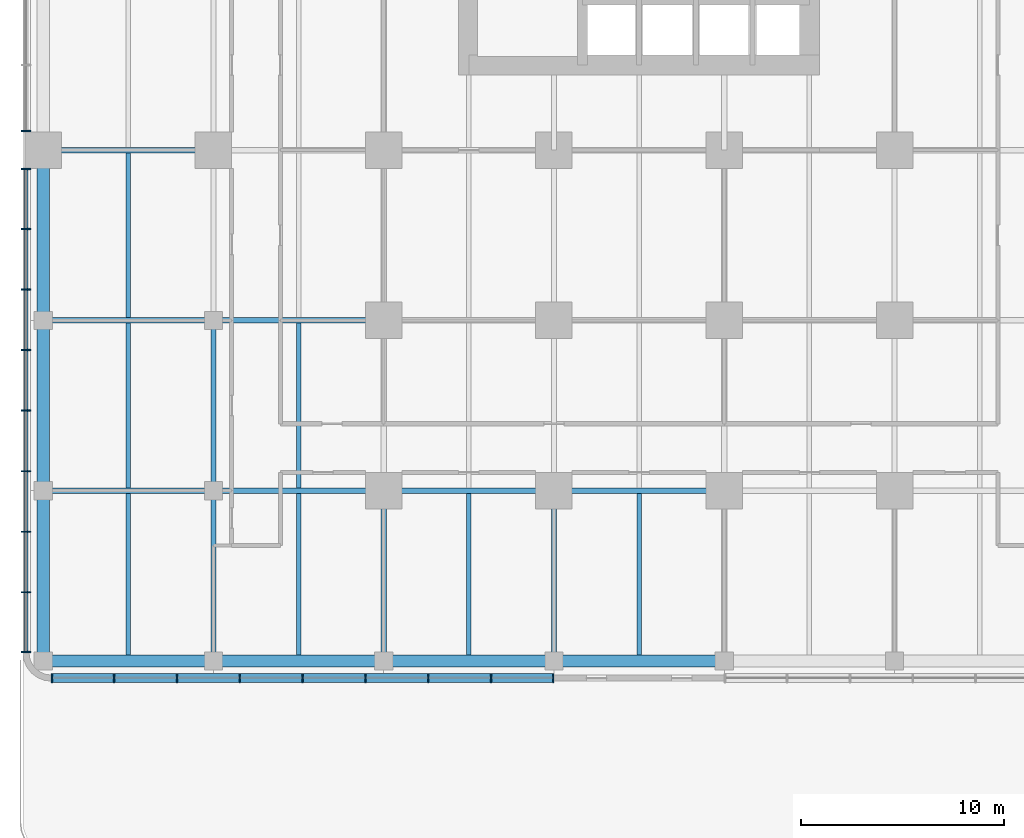
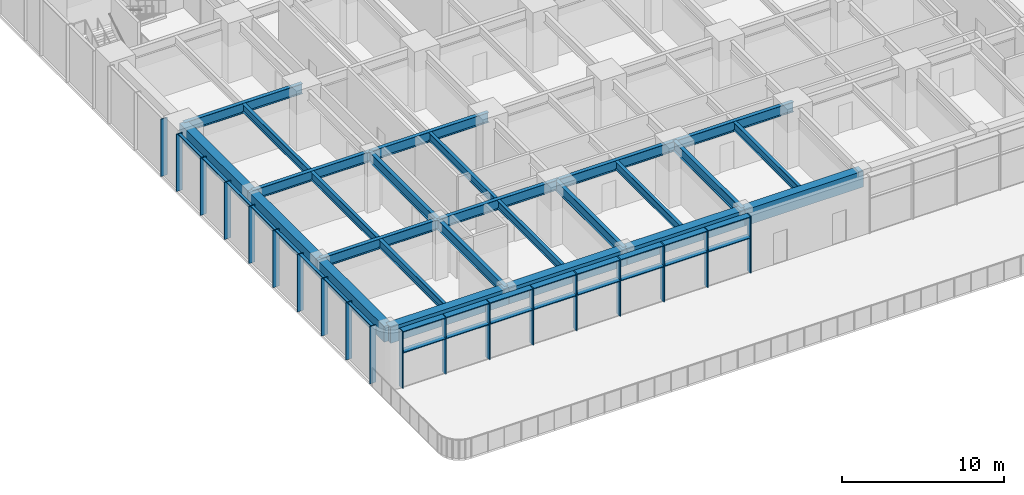
# One storey, part 2 of 20: 43 members, 25 beams, 2 elements without a shape of their own.
"""IFC4 building model written with IfcOpenShell, lengths in metres."""

from ifc_helpers import new_model, si_unit, direction, frame, origin, origin_2d, place, context, subcontext, project, spatial, rectangle, i_section, extrude, material, material_profile, profile_set, type_object, element, aggregate, save


model = new_model("IFC4")

# Units and contexts
model_context = context("Model", 3, precision=1e-05, world=origin(), true_north=direction((0.0, 1.0)))
body_context = subcontext(model_context, "Body", "Model", "MODEL_VIEW")
ifc_project = project(units=[si_unit("LENGTHUNIT", "METRE"), si_unit("AREAUNIT", "SQUARE_METRE"), si_unit("VOLUMEUNIT", "CUBIC_METRE"), si_unit("PLANEANGLEUNIT", "RADIAN"), si_unit("MASSUNIT", "GRAM", prefix="KILO")], contexts=[model_context])

# Site, building, storey
site_placement = place(None, origin())
site = spatial("IfcSite", under=ifc_project, at=site_placement, CompositionType="ELEMENT")
building_placement = place(site_placement, origin())
building = spatial("IfcBuilding", under=site, at=building_placement, Name="Torre Alcanfor", CompositionType="ELEMENT")
storey_placement = place(building_placement, frame((0.0, 0.0, 10.5)))
storey = spatial("IfcBuildingStorey", under=building, at=storey_placement, Name="L02", CompositionType="ELEMENT", Elevation=10.5)

# Curtain wall, members
ifc_material_1 = material(Name="Aluminium and glass", Category="aluminium")
curtain_wall_type_1 = type_object("IfcCurtainWallType", Name="CW-B unitised classroom glazing with vertical FIN", PredefinedType="NOTDEFINED", material=ifc_material_1)
curtain_wall_1_placement = place(storey_placement, origin())
curtain_wall_1 = element("IfcCurtainWall", 1, at=curtain_wall_1_placement, inside=storey, type_object=curtain_wall_type_1, Name="Curtain wall CW-B L02 3", PredefinedType="NOTDEFINED")
ifc_material_2 = material(Name="Bronze anodised aluminium", Category="aluminium")
ifc_material_profile_1 = material_profile(ifc_material_2, rectangle(XDim=0.449951171875, YDim=0.06494140625, at=origin_2d()), Name="CW-B mullion 65x450")
ifc_profile_set_1 = profile_set([ifc_material_profile_1], Name="Bronze anodised aluminium")
member_type_1 = type_object("IfcMemberType", Name="CW-B mullion with vertical FIN 65x450", PredefinedType="MULLION", material=ifc_profile_set_1)
member_1_placement = place(storey_placement, frame((-0.85009765625, 17.737548828125, 0.0), z_axis=(0.0, 0.0, 1.0), x_axis=(1.0, 0.0, 0.0)))
member_1 = element("IfcMember", 2, at=member_1_placement, type_object=member_type_1, Name="CW-B mullion 4.3", PredefinedType="MULLION", context=body_context, shape_type="SweptSolid", body=[
    extrude(rectangle(XDim=0.449951171875, YDim=0.06494140625, at=origin_2d()), origin(), (0.0, 0.0, 1.0), 4.300048828125),
])
member_2_placement = place(storey_placement, frame((-0.85009765625, 15.862548828125, 0.0), z_axis=(0.0, 0.0, 1.0), x_axis=(1.0, 0.0, 0.0)))
member_2 = element("IfcMember", 3, at=member_2_placement, type_object=member_type_1, Name="CW-B mullion 5.1", PredefinedType="MULLION", context=body_context, shape_type="SweptSolid", body=[
    extrude(rectangle(XDim=0.449951171875, YDim=0.06494140625, at=origin_2d()), origin(), (0.0, 0.0, 1.0), 4.300048828125),
])
member_3_placement = place(storey_placement, frame((-0.85009765625, 12.908203125, 0.0), z_axis=(0.0, 0.0, 1.0), x_axis=(1.0, 0.0, 0.0)))
member_3 = element("IfcMember", 4, at=member_3_placement, type_object=member_type_1, Name="CW-B mullion 5.2", PredefinedType="MULLION", context=body_context, shape_type="SweptSolid", body=[
    extrude(rectangle(XDim=0.449951171875, YDim=0.06494140625, at=origin_2d()), origin(), (0.0, 0.0, 1.0), 4.300048828125),
])
member_4_placement = place(storey_placement, frame((-0.85009765625, 9.921142578125, 0.0), z_axis=(0.0, 0.0, 1.0), x_axis=(1.0, 0.0, 0.0)))
member_4 = element("IfcMember", 5, at=member_4_placement, type_object=member_type_1, Name="CW-B mullion 5.3", PredefinedType="MULLION", context=body_context, shape_type="SweptSolid", body=[
    extrude(rectangle(XDim=0.449951171875, YDim=0.06494140625, at=origin_2d()), origin(), (0.0, 0.0, 1.0), 4.300048828125),
])
member_5_placement = place(storey_placement, frame((-0.85009765625, 6.934326171875, 0.0), z_axis=(0.0, 0.0, 1.0), x_axis=(1.0, 0.0, 0.0)))
member_5 = element("IfcMember", 6, at=member_5_placement, type_object=member_type_1, Name="CW-B mullion 5.4", PredefinedType="MULLION", context=body_context, shape_type="SweptSolid", body=[
    extrude(rectangle(XDim=0.449951171875, YDim=0.06494140625, at=origin_2d()), origin(), (0.0, 0.0, 1.0), 4.300048828125),
])
member_6_placement = place(storey_placement, frame((-0.85009765625, 3.947509765625, 0.0), z_axis=(0.0, 0.0, 1.0), x_axis=(1.0, 0.0, 0.0)))
member_6 = element("IfcMember", 7, at=member_6_placement, type_object=member_type_1, Name="CW-B mullion 5.5", PredefinedType="MULLION", context=body_context, shape_type="SweptSolid", body=[
    extrude(rectangle(XDim=0.449951171875, YDim=0.06494140625, at=origin_2d()), origin(), (0.0, 0.0, 1.0), 4.300048828125),
])
member_7_placement = place(storey_placement, frame((-0.85009765625, 0.960693359375, 0.0), z_axis=(0.0, 0.0, 1.0), x_axis=(1.0, 0.0, 0.0)))
member_7 = element("IfcMember", 8, at=member_7_placement, type_object=member_type_1, Name="CW-B mullion 5.6", PredefinedType="MULLION", context=body_context, shape_type="SweptSolid", body=[
    extrude(rectangle(XDim=0.449951171875, YDim=0.06494140625, at=origin_2d()), origin(), (0.0, 0.0, 1.0), 4.300048828125),
])
member_8_placement = place(storey_placement, frame((-0.85009765625, -2.0263671875, 0.0), z_axis=(0.0, 0.0, 1.0), x_axis=(1.0, 0.0, 0.0)))
member_8 = element("IfcMember", 9, at=member_8_placement, type_object=member_type_1, Name="CW-B mullion 5.7", PredefinedType="MULLION", context=body_context, shape_type="SweptSolid", body=[
    extrude(rectangle(XDim=0.449951171875, YDim=0.06494140625, at=origin_2d()), origin(), (0.0, 0.0, 1.0), 4.300048828125),
])
member_9_placement = place(storey_placement, frame((-0.85009765625, -5.01318359375, 0.0), z_axis=(0.0, 0.0, 1.0), x_axis=(1.0, 0.0, 0.0)))
member_9 = element("IfcMember", 10, at=member_9_placement, type_object=member_type_1, Name="CW-B mullion 5.8", PredefinedType="MULLION", context=body_context, shape_type="SweptSolid", body=[
    extrude(rectangle(XDim=0.449951171875, YDim=0.06494140625, at=origin_2d()), origin(), (0.0, 0.0, 1.0), 4.300048828125),
])
member_10_placement = place(storey_placement, frame((-0.85009765625, -7.967529296875, 0.0), z_axis=(0.0, 0.0, 1.0), x_axis=(1.0, 0.0, 0.0)))
member_10 = element("IfcMember", 11, at=member_10_placement, type_object=member_type_1, Name="CW-B mullion 5.9", PredefinedType="MULLION", context=body_context, shape_type="SweptSolid", body=[
    extrude(rectangle(XDim=0.449951171875, YDim=0.06494140625, at=origin_2d()), origin(), (0.0, 0.0, 1.0), 4.300048828125),
])
ifc_material_3 = material(Name="Extruded aluminium", Category="aluminium")
ifc_material_profile_2 = material_profile(ifc_material_3, rectangle(XDim=0.199951171875, YDim=0.06494140625, at=origin_2d()), Name="CW-B transom 200x65")
ifc_profile_set_2 = profile_set([ifc_material_profile_2], Name="Extruded aluminium")
member_type_2 = type_object("IfcMemberType", Name="CW-B transom 65x200", PredefinedType="USERDEFINED", material=ifc_profile_set_2)
member_11_placement = place(storey_placement, frame((-0.85009765625, 15.830078125, 4.267578125), z_axis=(0.0, -1.0, 0.0), x_axis=(1.0, 0.0, 0.0)))
member_11 = element("IfcMember", 12, at=member_11_placement, type_object=member_type_2, Name="CW-B transom 5.1.2", ObjectType="TRANSOM", PredefinedType="USERDEFINED", context=body_context, shape_type="SweptSolid", body=[
    extrude(rectangle(XDim=0.199951171875, YDim=0.06494140625, at=origin_2d()), origin(), (0.0, 0.0, 1.0), 2.889404296875),
])
member_12_placement = place(storey_placement, frame((-0.85009765625, 12.875732421875, 4.267578125), z_axis=(0.0, -1.0, 0.0), x_axis=(1.0, 0.0, 0.0)))
member_12 = element("IfcMember", 13, at=member_12_placement, type_object=member_type_2, Name="CW-B transom 5.2.2", ObjectType="TRANSOM", PredefinedType="USERDEFINED", context=body_context, shape_type="SweptSolid", body=[
    extrude(rectangle(XDim=0.199951171875, YDim=0.06494140625, at=origin_2d()), origin(), (0.0, 0.0, 1.0), 2.921875),
])
member_13_placement = place(storey_placement, frame((-0.85009765625, 9.888671875, 4.267578125), z_axis=(0.0, -1.0, 0.0), x_axis=(1.0, 0.0, 0.0)))
member_13 = element("IfcMember", 14, at=member_13_placement, type_object=member_type_2, Name="CW-B transom 5.3.2", ObjectType="TRANSOM", PredefinedType="USERDEFINED", context=body_context, shape_type="SweptSolid", body=[
    extrude(rectangle(XDim=0.199951171875, YDim=0.06494140625, at=origin_2d()), origin(), (0.0, 0.0, 1.0), 2.921875),
])
member_14_placement = place(storey_placement, frame((-0.85009765625, 6.90185546875, 4.267578125), z_axis=(0.0, -1.0, 0.0), x_axis=(1.0, 0.0, 0.0)))
member_14 = element("IfcMember", 15, at=member_14_placement, type_object=member_type_2, Name="CW-B transom 5.4.2", ObjectType="TRANSOM", PredefinedType="USERDEFINED", context=body_context, shape_type="SweptSolid", body=[
    extrude(rectangle(XDim=0.199951171875, YDim=0.06494140625, at=origin_2d()), origin(), (0.0, 0.0, 1.0), 2.921875),
])
member_15_placement = place(storey_placement, frame((-0.85009765625, 3.9150390625, 4.267578125), z_axis=(0.0, -1.0, 0.0), x_axis=(1.0, 0.0, 0.0)))
member_15 = element("IfcMember", 16, at=member_15_placement, type_object=member_type_2, Name="CW-B transom 5.5.2", ObjectType="TRANSOM", PredefinedType="USERDEFINED", context=body_context, shape_type="SweptSolid", body=[
    extrude(rectangle(XDim=0.199951171875, YDim=0.06494140625, at=origin_2d()), origin(), (0.0, 0.0, 1.0), 2.921875),
])
member_16_placement = place(storey_placement, frame((-0.85009765625, 0.92822265625, 4.267578125), z_axis=(0.0, -1.0, 0.0), x_axis=(1.0, 0.0, 0.0)))
member_16 = element("IfcMember", 17, at=member_16_placement, type_object=member_type_2, Name="CW-B transom 5.6.2", ObjectType="TRANSOM", PredefinedType="USERDEFINED", context=body_context, shape_type="SweptSolid", body=[
    extrude(rectangle(XDim=0.199951171875, YDim=0.06494140625, at=origin_2d()), origin(), (0.0, 0.0, 1.0), 2.921875),
])
member_17_placement = place(storey_placement, frame((-0.85009765625, -2.058837890625, 4.267578125), z_axis=(0.0, -1.0, 0.0), x_axis=(1.0, 0.0, 0.0)))
member_17 = element("IfcMember", 18, at=member_17_placement, type_object=member_type_2, Name="CW-B transom 5.7.2", ObjectType="TRANSOM", PredefinedType="USERDEFINED", context=body_context, shape_type="SweptSolid", body=[
    extrude(rectangle(XDim=0.199951171875, YDim=0.06494140625, at=origin_2d()), origin(), (0.0, 0.0, 1.0), 2.921875),
])
member_18_placement = place(storey_placement, frame((-0.85009765625, -5.045654296875, 4.267578125), z_axis=(0.0, -1.0, 0.0), x_axis=(1.0, 0.0, 0.0)))
member_18 = element("IfcMember", 19, at=member_18_placement, type_object=member_type_2, Name="CW-B transom 5.8.2", ObjectType="TRANSOM", PredefinedType="USERDEFINED", context=body_context, shape_type="SweptSolid", body=[
    extrude(rectangle(XDim=0.199951171875, YDim=0.06494140625, at=origin_2d()), origin(), (0.0, 0.0, 1.0), 2.889404296875),
])
aggregate(curtain_wall_1, [member_1, member_2, member_3, member_4, member_5, member_6, member_7, member_8, member_9, member_10, member_11, member_12, member_13, member_14, member_15, member_16, member_17, member_18])

ifc_material_4 = material(Name="Aluminium and glass", Category="aluminium")
curtain_wall_type_2 = type_object("IfcCurtainWallType", Name="CW-F south classroom glazing with SUNSHADE transom", PredefinedType="NOTDEFINED", material=ifc_material_4)
curtain_wall_2_placement = place(storey_placement, origin())
curtain_wall_2 = element("IfcCurtainWall", 20, at=curtain_wall_2_placement, inside=storey, type_object=curtain_wall_type_2, Name="Curtain wall CW-F L02 4", PredefinedType="NOTDEFINED")
ifc_material_5 = material(Name="Extruded aluminium", Category="aluminium")
ifc_material_profile_3 = material_profile(ifc_material_5, rectangle(XDim=0.449951171875, YDim=0.06494140625, at=origin_2d()), Name="CW-F transom 450x65")
ifc_profile_set_3 = profile_set([ifc_material_profile_3], Name="Extruded aluminium")
member_type_3 = type_object("IfcMemberType", Name="CW-F SUNSHADE transom 65x450", PredefinedType="USERDEFINED", material=ifc_profile_set_3)
member_19_placement = place(storey_placement, frame((0.465087890625, -9.25, 2.699951171875), z_axis=(1.0, 0.0, 0.0), x_axis=(0.0, 1.0, 0.0)))
member_19 = element("IfcMember", 21, at=member_19_placement, type_object=member_type_3, Name="CW-F transom 1.2", ObjectType="TRANSOM", PredefinedType="USERDEFINED", context=body_context, shape_type="SweptSolid", body=[
    extrude(rectangle(XDim=0.449951171875, YDim=0.06494140625, at=origin_2d()), origin(), (0.0, 0.0, 1.0), 3.00244140625),
])
member_20_placement = place(storey_placement, frame((0.465087890625, -9.25, 4.267578125), z_axis=(1.0, 0.0, 0.0), x_axis=(0.0, 1.0, 0.0)))
member_20 = element("IfcMember", 22, at=member_20_placement, type_object=member_type_3, Name="CW-F transom 1.3", ObjectType="TRANSOM", PredefinedType="USERDEFINED", context=body_context, shape_type="SweptSolid", body=[
    extrude(rectangle(XDim=0.449951171875, YDim=0.06494140625, at=origin_2d()), origin(), (0.0, 0.0, 1.0), 3.00244140625),
])
member_21_placement = place(storey_placement, frame((3.532470703125, -9.25, 2.699951171875), z_axis=(1.0, 0.0, 0.0), x_axis=(0.0, 1.0, 0.0)))
member_21 = element("IfcMember", 23, at=member_21_placement, type_object=member_type_3, Name="CW-F transom 2.2", ObjectType="TRANSOM", PredefinedType="USERDEFINED", context=body_context, shape_type="SweptSolid", body=[
    extrude(rectangle(XDim=0.449951171875, YDim=0.06494140625, at=origin_2d()), origin(), (0.0, 0.0, 1.0), 3.034912109375),
])
member_22_placement = place(storey_placement, frame((3.532470703125, -9.25, 4.267578125), z_axis=(1.0, 0.0, 0.0), x_axis=(0.0, 1.0, 0.0)))
member_22 = element("IfcMember", 24, at=member_22_placement, type_object=member_type_3, Name="CW-F transom 2.3", ObjectType="TRANSOM", PredefinedType="USERDEFINED", context=body_context, shape_type="SweptSolid", body=[
    extrude(rectangle(XDim=0.449951171875, YDim=0.06494140625, at=origin_2d()), origin(), (0.0, 0.0, 1.0), 3.034912109375),
])
member_23_placement = place(storey_placement, frame((6.632568359375, -9.25, 2.699951171875), z_axis=(1.0, 0.0, 0.0), x_axis=(0.0, 1.0, 0.0)))
member_23 = element("IfcMember", 25, at=member_23_placement, type_object=member_type_3, Name="CW-F transom 3.2", ObjectType="TRANSOM", PredefinedType="USERDEFINED", context=body_context, shape_type="SweptSolid", body=[
    extrude(rectangle(XDim=0.449951171875, YDim=0.06494140625, at=origin_2d()), origin(), (0.0, 0.0, 1.0), 3.034912109375),
])
member_24_placement = place(storey_placement, frame((6.632568359375, -9.25, 4.267578125), z_axis=(1.0, 0.0, 0.0), x_axis=(0.0, 1.0, 0.0)))
member_24 = element("IfcMember", 26, at=member_24_placement, type_object=member_type_3, Name="CW-F transom 3.3", ObjectType="TRANSOM", PredefinedType="USERDEFINED", context=body_context, shape_type="SweptSolid", body=[
    extrude(rectangle(XDim=0.449951171875, YDim=0.06494140625, at=origin_2d()), origin(), (0.0, 0.0, 1.0), 3.034912109375),
])
member_25_placement = place(storey_placement, frame((9.732421875, -9.25, 2.699951171875), z_axis=(1.0, 0.0, 0.0), x_axis=(0.0, 1.0, 0.0)))
member_25 = element("IfcMember", 27, at=member_25_placement, type_object=member_type_3, Name="CW-F transom 4.2", ObjectType="TRANSOM", PredefinedType="USERDEFINED", context=body_context, shape_type="SweptSolid", body=[
    extrude(rectangle(XDim=0.449951171875, YDim=0.06494140625, at=origin_2d()), origin(), (0.0, 0.0, 1.0), 3.03515625),
])
member_26_placement = place(storey_placement, frame((9.732421875, -9.25, 4.267578125), z_axis=(1.0, 0.0, 0.0), x_axis=(0.0, 1.0, 0.0)))
member_26 = element("IfcMember", 28, at=member_26_placement, type_object=member_type_3, Name="CW-F transom 4.3", ObjectType="TRANSOM", PredefinedType="USERDEFINED", context=body_context, shape_type="SweptSolid", body=[
    extrude(rectangle(XDim=0.449951171875, YDim=0.06494140625, at=origin_2d()), origin(), (0.0, 0.0, 1.0), 3.03515625),
])
member_27_placement = place(storey_placement, frame((12.83251953125, -9.25, 2.699951171875), z_axis=(1.0, 0.0, 0.0), x_axis=(0.0, 1.0, 0.0)))
member_27 = element("IfcMember", 29, at=member_27_placement, type_object=member_type_3, Name="CW-F transom 5.2", ObjectType="TRANSOM", PredefinedType="USERDEFINED", context=body_context, shape_type="SweptSolid", body=[
    extrude(rectangle(XDim=0.449951171875, YDim=0.06494140625, at=origin_2d()), origin(), (0.0, 0.0, 1.0), 3.034912109375),
])
member_28_placement = place(storey_placement, frame((12.83251953125, -9.25, 4.267578125), z_axis=(1.0, 0.0, 0.0), x_axis=(0.0, 1.0, 0.0)))
member_28 = element("IfcMember", 30, at=member_28_placement, type_object=member_type_3, Name="CW-F transom 5.3", ObjectType="TRANSOM", PredefinedType="USERDEFINED", context=body_context, shape_type="SweptSolid", body=[
    extrude(rectangle(XDim=0.449951171875, YDim=0.06494140625, at=origin_2d()), origin(), (0.0, 0.0, 1.0), 3.034912109375),
])
member_29_placement = place(storey_placement, frame((15.9326171875, -9.25, 2.699951171875), z_axis=(1.0, 0.0, 0.0), x_axis=(0.0, 1.0, 0.0)))
member_29 = element("IfcMember", 31, at=member_29_placement, type_object=member_type_3, Name="CW-F transom 6.2", ObjectType="TRANSOM", PredefinedType="USERDEFINED", context=body_context, shape_type="SweptSolid", body=[
    extrude(rectangle(XDim=0.449951171875, YDim=0.06494140625, at=origin_2d()), origin(), (0.0, 0.0, 1.0), 3.034912109375),
])
member_30_placement = place(storey_placement, frame((15.9326171875, -9.25, 4.267578125), z_axis=(1.0, 0.0, 0.0), x_axis=(0.0, 1.0, 0.0)))
member_30 = element("IfcMember", 32, at=member_30_placement, type_object=member_type_3, Name="CW-F transom 6.3", ObjectType="TRANSOM", PredefinedType="USERDEFINED", context=body_context, shape_type="SweptSolid", body=[
    extrude(rectangle(XDim=0.449951171875, YDim=0.06494140625, at=origin_2d()), origin(), (0.0, 0.0, 1.0), 3.034912109375),
])
member_31_placement = place(storey_placement, frame((19.032470703125, -9.25, 2.699951171875), z_axis=(1.0, 0.0, 0.0), x_axis=(0.0, 1.0, 0.0)))
member_31 = element("IfcMember", 33, at=member_31_placement, type_object=member_type_3, Name="CW-F transom 7.2", ObjectType="TRANSOM", PredefinedType="USERDEFINED", context=body_context, shape_type="SweptSolid", body=[
    extrude(rectangle(XDim=0.449951171875, YDim=0.06494140625, at=origin_2d()), origin(), (0.0, 0.0, 1.0), 3.034912109375),
])
member_32_placement = place(storey_placement, frame((19.032470703125, -9.25, 4.267578125), z_axis=(1.0, 0.0, 0.0), x_axis=(0.0, 1.0, 0.0)))
member_32 = element("IfcMember", 34, at=member_32_placement, type_object=member_type_3, Name="CW-F transom 7.3", ObjectType="TRANSOM", PredefinedType="USERDEFINED", context=body_context, shape_type="SweptSolid", body=[
    extrude(rectangle(XDim=0.449951171875, YDim=0.06494140625, at=origin_2d()), origin(), (0.0, 0.0, 1.0), 3.034912109375),
])
member_33_placement = place(storey_placement, frame((22.132568359375, -9.25, 2.699951171875), z_axis=(1.0, 0.0, 0.0), x_axis=(0.0, 1.0, 0.0)))
member_33 = element("IfcMember", 35, at=member_33_placement, type_object=member_type_3, Name="CW-F transom 8.2", ObjectType="TRANSOM", PredefinedType="USERDEFINED", context=body_context, shape_type="SweptSolid", body=[
    extrude(rectangle(XDim=0.449951171875, YDim=0.06494140625, at=origin_2d()), origin(), (0.0, 0.0, 1.0), 3.00244140625),
])
member_34_placement = place(storey_placement, frame((22.132568359375, -9.25, 4.267578125), z_axis=(1.0, 0.0, 0.0), x_axis=(0.0, 1.0, 0.0)))
member_34 = element("IfcMember", 36, at=member_34_placement, type_object=member_type_3, Name="CW-F transom 8.3", ObjectType="TRANSOM", PredefinedType="USERDEFINED", context=body_context, shape_type="SweptSolid", body=[
    extrude(rectangle(XDim=0.449951171875, YDim=0.06494140625, at=origin_2d()), origin(), (0.0, 0.0, 1.0), 3.00244140625),
])
ifc_material_6 = material(Name="Bronze anodised aluminium", Category="aluminium")
ifc_material_profile_4 = material_profile(ifc_material_6, rectangle(XDim=0.449951171875, YDim=0.06494140625, at=origin_2d()), Name="CW-F mullion 65x450")
ifc_profile_set_4 = profile_set([ifc_material_profile_4], Name="Bronze anodised aluminium")
member_type_4 = type_object("IfcMemberType", Name="CW-F mullion with vertical FIN 65x450", PredefinedType="MULLION", material=ifc_profile_set_4)
member_35_placement = place(storey_placement, frame((0.4326171875, -9.25, 0.0), z_axis=(0.0, 0.0, 1.0), x_axis=(0.0, 1.0, 0.0)))
member_35 = element("IfcMember", 37, at=member_35_placement, type_object=member_type_4, Name="CW-F mullion 1", PredefinedType="MULLION", context=body_context, shape_type="SweptSolid", body=[
    extrude(rectangle(XDim=0.449951171875, YDim=0.06494140625, at=origin_2d()), origin(), (0.0, 0.0, 1.0), 4.300048828125),
])
member_36_placement = place(storey_placement, frame((3.5, -9.25, 0.0), z_axis=(0.0, 0.0, 1.0), x_axis=(0.0, 1.0, 0.0)))
member_36 = element("IfcMember", 38, at=member_36_placement, type_object=member_type_4, Name="CW-F mullion 2", PredefinedType="MULLION", context=body_context, shape_type="SweptSolid", body=[
    extrude(rectangle(XDim=0.449951171875, YDim=0.06494140625, at=origin_2d()), origin(), (0.0, 0.0, 1.0), 4.300048828125),
])
member_37_placement = place(storey_placement, frame((6.60009765625, -9.25, 0.0), z_axis=(0.0, 0.0, 1.0), x_axis=(0.0, 1.0, 0.0)))
member_37 = element("IfcMember", 39, at=member_37_placement, type_object=member_type_4, Name="CW-F mullion 3", PredefinedType="MULLION", context=body_context, shape_type="SweptSolid", body=[
    extrude(rectangle(XDim=0.449951171875, YDim=0.06494140625, at=origin_2d()), origin(), (0.0, 0.0, 1.0), 4.300048828125),
])
member_38_placement = place(storey_placement, frame((9.699951171875, -9.25, 0.0), z_axis=(0.0, 0.0, 1.0), x_axis=(0.0, 1.0, 0.0)))
member_38 = element("IfcMember", 40, at=member_38_placement, type_object=member_type_4, Name="CW-F mullion 4", PredefinedType="MULLION", context=body_context, shape_type="SweptSolid", body=[
    extrude(rectangle(XDim=0.449951171875, YDim=0.06494140625, at=origin_2d()), origin(), (0.0, 0.0, 1.0), 4.300048828125),
])
member_39_placement = place(storey_placement, frame((12.800048828125, -9.25, 0.0), z_axis=(0.0, 0.0, 1.0), x_axis=(0.0, 1.0, 0.0)))
member_39 = element("IfcMember", 41, at=member_39_placement, type_object=member_type_4, Name="CW-F mullion 5", PredefinedType="MULLION", context=body_context, shape_type="SweptSolid", body=[
    extrude(rectangle(XDim=0.449951171875, YDim=0.06494140625, at=origin_2d()), origin(), (0.0, 0.0, 1.0), 4.300048828125),
])
member_40_placement = place(storey_placement, frame((15.89990234375, -9.25, 0.0), z_axis=(0.0, 0.0, 1.0), x_axis=(0.0, 1.0, 0.0)))
member_40 = element("IfcMember", 42, at=member_40_placement, type_object=member_type_4, Name="CW-F mullion 6", PredefinedType="MULLION", context=body_context, shape_type="SweptSolid", body=[
    extrude(rectangle(XDim=0.449951171875, YDim=0.06494140625, at=origin_2d()), origin(), (0.0, 0.0, 1.0), 4.300048828125),
])
member_41_placement = place(storey_placement, frame((19.0, -9.25, 0.0), z_axis=(0.0, 0.0, 1.0), x_axis=(0.0, 1.0, 0.0)))
member_41 = element("IfcMember", 43, at=member_41_placement, type_object=member_type_4, Name="CW-F mullion 7", PredefinedType="MULLION", context=body_context, shape_type="SweptSolid", body=[
    extrude(rectangle(XDim=0.449951171875, YDim=0.06494140625, at=origin_2d()), origin(), (0.0, 0.0, 1.0), 4.300048828125),
])
member_42_placement = place(storey_placement, frame((22.10009765625, -9.25, 0.0), z_axis=(0.0, 0.0, 1.0), x_axis=(0.0, 1.0, 0.0)))
member_42 = element("IfcMember", 44, at=member_42_placement, type_object=member_type_4, Name="CW-F mullion 8", PredefinedType="MULLION", context=body_context, shape_type="SweptSolid", body=[
    extrude(rectangle(XDim=0.449951171875, YDim=0.06494140625, at=origin_2d()), origin(), (0.0, 0.0, 1.0), 4.300048828125),
])
member_43_placement = place(storey_placement, frame((25.16748046875, -9.25, 0.0), z_axis=(0.0, 0.0, 1.0), x_axis=(0.0, 1.0, 0.0)))
member_43 = element("IfcMember", 45, at=member_43_placement, type_object=member_type_4, Name="CW-F mullion 9", PredefinedType="MULLION", context=body_context, shape_type="SweptSolid", body=[
    extrude(rectangle(XDim=0.449951171875, YDim=0.06494140625, at=origin_2d()), origin(), (0.0, 0.0, 1.0), 4.300048828125),
])
aggregate(curtain_wall_2, [member_35, member_36, member_37, member_38, member_39, member_40, member_41, member_42, member_43, member_19, member_20, member_21, member_22, member_23, member_24, member_25, member_26, member_27, member_28, member_29, member_30, member_31, member_32, member_33, member_34])

# Beams
ifc_material_7 = material(Name="Steel ASTM A992 Grade 50", Category="steel")
ifc_material_profile_5 = material_profile(ifc_material_7, i_section(OverallWidth=0.2666015625, OverallDepth=0.7568359375, WebThickness=0.013916015625, FlangeThickness=0.019287109375, at=origin_2d()), Name="W30x108")
ifc_profile_set_5 = profile_set([ifc_material_profile_5], Name="Steel ASTM A992 Grade 50")
beam_type_1 = type_object("IfcBeamType", Name="Girder W30x108", PredefinedType="BEAM", material=ifc_profile_set_5)
beam_1_placement = place(storey_placement, frame((0.0, 0.0, 3.921630859375), z_axis=(1.0, 0.0, 0.0), x_axis=(0.0, 1.0, 0.0)))
element("IfcBeam", 46, at=beam_1_placement, inside=storey, type_object=beam_type_1, Name="Beam 1C-2C under L03", PredefinedType="BEAM", context=body_context, shape_type="SweptSolid", body=[
    extrude(i_section(OverallWidth=0.2666015625, OverallDepth=0.7568359375, WebThickness=0.013916015625, FlangeThickness=0.019287109375, at=origin_2d()), origin(), (0.0, 0.0, 1.0), 8.39990234375),
])
beam_2_placement = place(storey_placement, frame((8.39990234375, 0.0, 3.921630859375), z_axis=(1.0, 0.0, 0.0), x_axis=(0.0, 1.0, 0.0)))
element("IfcBeam", 47, at=beam_2_placement, inside=storey, type_object=beam_type_1, Name="Beam 2C-3C under L03", PredefinedType="BEAM", context=body_context, shape_type="SweptSolid", body=[
    extrude(i_section(OverallWidth=0.2666015625, OverallDepth=0.7568359375, WebThickness=0.013916015625, FlangeThickness=0.019287109375, at=origin_2d()), origin(), (0.0, 0.0, 1.0), 8.400146484375),
])
beam_3_placement = place(storey_placement, frame((16.800048828125, 0.0, 3.921630859375), z_axis=(1.0, 0.0, 0.0), x_axis=(0.0, 1.0, 0.0)))
element("IfcBeam", 48, at=beam_3_placement, inside=storey, type_object=beam_type_1, Name="Beam 3C-4C under L03", PredefinedType="BEAM", context=body_context, shape_type="SweptSolid", body=[
    extrude(i_section(OverallWidth=0.2666015625, OverallDepth=0.7568359375, WebThickness=0.013916015625, FlangeThickness=0.019287109375, at=origin_2d()), origin(), (0.0, 0.0, 1.0), 8.39990234375),
])
beam_4_placement = place(storey_placement, frame((25.199951171875, 0.0, 3.921630859375), z_axis=(1.0, 0.0, 0.0), x_axis=(0.0, 1.0, 0.0)))
element("IfcBeam", 49, at=beam_4_placement, inside=storey, type_object=beam_type_1, Name="Beam 4C-5C under L03", PredefinedType="BEAM", context=body_context, shape_type="SweptSolid", body=[
    extrude(i_section(OverallWidth=0.2666015625, OverallDepth=0.7568359375, WebThickness=0.013916015625, FlangeThickness=0.019287109375, at=origin_2d()), origin(), (0.0, 0.0, 1.0), 8.400146484375),
])
beam_5_placement = place(storey_placement, frame((0.0, 8.39990234375, 3.921630859375), z_axis=(1.0, 0.0, 0.0), x_axis=(0.0, 1.0, 0.0)))
element("IfcBeam", 50, at=beam_5_placement, inside=storey, type_object=beam_type_1, Name="Beam 1D-2D under L03", PredefinedType="BEAM", context=body_context, shape_type="SweptSolid", body=[
    extrude(i_section(OverallWidth=0.2666015625, OverallDepth=0.7568359375, WebThickness=0.013916015625, FlangeThickness=0.019287109375, at=origin_2d()), origin(), (0.0, 0.0, 1.0), 8.39990234375),
])
beam_6_placement = place(storey_placement, frame((8.39990234375, 8.39990234375, 3.921630859375), z_axis=(1.0, 0.0, 0.0), x_axis=(0.0, 1.0, 0.0)))
element("IfcBeam", 51, at=beam_6_placement, inside=storey, type_object=beam_type_1, Name="Beam 2D-3D under L03", PredefinedType="BEAM", context=body_context, shape_type="SweptSolid", body=[
    extrude(i_section(OverallWidth=0.2666015625, OverallDepth=0.7568359375, WebThickness=0.013916015625, FlangeThickness=0.019287109375, at=origin_2d()), origin(), (0.0, 0.0, 1.0), 8.400146484375),
])
for number, where, z_axis, x_axis, name in (
    (52, (0.0, 16.800048828125, 3.921630859375), (1.0, 0.0, 0.0), (0.0, 1.0, 0.0), "Beam 1E-2E under L03"),
    (53, (8.39990234375, -8.39990234375, 3.921630859375), (0.0, 1.0, 0.0), (-1.0, 0.0, 0.0), "Beam 2B-2C under L03"),
    (54, (8.39990234375, 0.0, 3.921630859375), (0.0, 1.0, 0.0), (-1.0, 0.0, 0.0), "Beam 2C-2D under L03"),
    (55, (16.800048828125, -8.39990234375, 3.921630859375), (0.0, 1.0, 0.0), (-1.0, 0.0, 0.0), "Beam 3B-3C under L03"),
    (56, (25.199951171875, -8.39990234375, 3.921630859375), (0.0, 1.0, 0.0), (-1.0, 0.0, 0.0), "Beam 4B-4C under L03"),
):
    element("IfcBeam", number, at=place(storey_placement, frame(where, z_axis=z_axis, x_axis=x_axis)), inside=storey, type_object=beam_type_1, Name=name, PredefinedType="BEAM", context=body_context, shape_type="SweptSolid", body=[
        extrude(i_section(OverallWidth=0.2666015625, OverallDepth=0.7568359375, WebThickness=0.013916015625, FlangeThickness=0.019287109375, at=origin_2d()), origin(), (0.0, 0.0, 1.0), 8.39990234375),
    ])
ifc_material_8 = material(Name="Concrete f'c 70 MPa", Category="concrete")
ifc_material_profile_6 = material_profile(ifc_material_8, rectangle(XDim=0.60009765625, YDim=1.199951171875, at=origin_2d()), Name="600x1200")
ifc_profile_set_6 = profile_set([ifc_material_profile_6], Name="Concrete f'c 70 MPa")
beam_type_2 = type_object("IfcBeamType", Name="RC perimeter beam 600x1200", PredefinedType="BEAM", material=ifc_profile_set_6)
beam_7_placement = place(storey_placement, frame((0.0, -8.39990234375, 3.699951171875), z_axis=(1.0, 0.0, 0.0), x_axis=(0.0, 1.0, 0.0)))
element("IfcBeam", 57, at=beam_7_placement, inside=storey, type_object=beam_type_2, Name="Beam 1B-2B under L03", PredefinedType="BEAM", context=body_context, shape_type="SweptSolid", body=[
    extrude(rectangle(XDim=0.60009765625, YDim=1.199951171875, at=origin_2d()), origin(), (0.0, 0.0, 1.0), 8.39990234375),
])
beam_8_placement = place(storey_placement, frame((8.39990234375, -8.39990234375, 3.699951171875), z_axis=(1.0, 0.0, 0.0), x_axis=(0.0, 1.0, 0.0)))
element("IfcBeam", 58, at=beam_8_placement, inside=storey, type_object=beam_type_2, Name="Beam 2B-3B under L03", PredefinedType="BEAM", context=body_context, shape_type="SweptSolid", body=[
    extrude(rectangle(XDim=0.60009765625, YDim=1.199951171875, at=origin_2d()), origin(), (0.0, 0.0, 1.0), 8.400146484375),
])
beam_9_placement = place(storey_placement, frame((16.800048828125, -8.39990234375, 3.699951171875), z_axis=(1.0, 0.0, 0.0), x_axis=(0.0, 1.0, 0.0)))
element("IfcBeam", 59, at=beam_9_placement, inside=storey, type_object=beam_type_2, Name="Beam 3B-4B under L03", PredefinedType="BEAM", context=body_context, shape_type="SweptSolid", body=[
    extrude(rectangle(XDim=0.60009765625, YDim=1.199951171875, at=origin_2d()), origin(), (0.0, 0.0, 1.0), 8.39990234375),
])
beam_10_placement = place(storey_placement, frame((25.199951171875, -8.39990234375, 3.699951171875), z_axis=(1.0, 0.0, 0.0), x_axis=(0.0, 1.0, 0.0)))
element("IfcBeam", 60, at=beam_10_placement, inside=storey, type_object=beam_type_2, Name="Beam 4B-5B under L03", PredefinedType="BEAM", context=body_context, shape_type="SweptSolid", body=[
    extrude(rectangle(XDim=0.60009765625, YDim=1.199951171875, at=origin_2d()), origin(), (0.0, 0.0, 1.0), 8.400146484375),
])
for number, where, z_axis, x_axis, name in (
    (61, (0.0, -8.39990234375, 3.699951171875), (0.0, 1.0, 0.0), (-1.0, 0.0, 0.0), "Beam 1B-1C under L03"),
    (62, (0.0, 0.0, 3.699951171875), (0.0, 1.0, 0.0), (-1.0, 0.0, 0.0), "Beam 1C-1D under L03"),
):
    element("IfcBeam", number, at=place(storey_placement, frame(where, z_axis=z_axis, x_axis=x_axis)), inside=storey, type_object=beam_type_2, Name=name, PredefinedType="BEAM", context=body_context, shape_type="SweptSolid", body=[
        extrude(rectangle(XDim=0.60009765625, YDim=1.199951171875, at=origin_2d()), origin(), (0.0, 0.0, 1.0), 8.39990234375),
    ])
beam_11_placement = place(storey_placement, frame((0.0, 8.39990234375, 3.699951171875), z_axis=(0.0, 1.0, 0.0), x_axis=(-1.0, 0.0, 0.0)))
element("IfcBeam", 63, at=beam_11_placement, inside=storey, type_object=beam_type_2, Name="Beam 1D-1E under L03", PredefinedType="BEAM", context=body_context, shape_type="SweptSolid", body=[
    extrude(rectangle(XDim=0.60009765625, YDim=1.199951171875, at=origin_2d()), origin(), (0.0, 0.0, 1.0), 8.400146484375),
])
ifc_material_9 = material(Name="Steel ASTM A992 Grade 50", Category="steel")
ifc_material_profile_7 = material_profile(ifc_material_9, i_section(OverallWidth=0.22900390625, OverallDepth=0.612060546875, WebThickness=0.011962890625, FlangeThickness=0.01953125, at=origin_2d()), Name="W24x84")
ifc_profile_set_7 = profile_set([ifc_material_profile_7], Name="Steel ASTM A992 Grade 50")
beam_type_3 = type_object("IfcBeamType", Name="Secondary beam W24x84", PredefinedType="BEAM", material=ifc_profile_set_7)
beam_12_placement = place(storey_placement, frame((4.199951171875, -8.10009765625, 3.993896484375), z_axis=(0.0, 1.0, 0.0), x_axis=(-1.0, 0.0, 0.0)))
element("IfcBeam", 64, at=beam_12_placement, inside=storey, type_object=beam_type_3, Name="Beam 4_2B-4_2C under L03", PredefinedType="BEAM", context=body_context, shape_type="SweptSolid", body=[
    extrude(i_section(OverallWidth=0.22900390625, OverallDepth=0.612060546875, WebThickness=0.011962890625, FlangeThickness=0.01953125, at=origin_2d()), origin(), (0.0, 0.0, 1.0), 7.967041015625),
])
for number, where, z_axis, x_axis, name in (
    (65, (4.199951171875, 0.133056640625, 3.993896484375), (0.0, 1.0, 0.0), (-1.0, 0.0, 0.0), "Beam 4_2C-4_2D under L03"),
    (66, (4.199951171875, 8.532958984375, 3.993896484375), (0.0, 1.0, 0.0), (-1.0, 0.0, 0.0), "Beam 4_2D-4_2E under L03"),
):
    element("IfcBeam", number, at=place(storey_placement, frame(where, z_axis=z_axis, x_axis=x_axis)), inside=storey, type_object=beam_type_3, Name=name, PredefinedType="BEAM", context=body_context, shape_type="SweptSolid", body=[
        extrude(i_section(OverallWidth=0.22900390625, OverallDepth=0.612060546875, WebThickness=0.011962890625, FlangeThickness=0.01953125, at=origin_2d()), origin(), (0.0, 0.0, 1.0), 8.134033203125),
    ])
beam_13_placement = place(storey_placement, frame((12.60009765625, -8.10009765625, 3.993896484375), z_axis=(0.0, 1.0, 0.0), x_axis=(-1.0, 0.0, 0.0)))
element("IfcBeam", 67, at=beam_13_placement, inside=storey, type_object=beam_type_3, Name="Beam 12_6B-12_6C under L03", PredefinedType="BEAM", context=body_context, shape_type="SweptSolid", body=[
    extrude(i_section(OverallWidth=0.22900390625, OverallDepth=0.612060546875, WebThickness=0.011962890625, FlangeThickness=0.01953125, at=origin_2d()), origin(), (0.0, 0.0, 1.0), 7.967041015625),
])
beam_14_placement = place(storey_placement, frame((12.60009765625, 0.133056640625, 3.993896484375), z_axis=(0.0, 1.0, 0.0), x_axis=(-1.0, 0.0, 0.0)))
element("IfcBeam", 68, at=beam_14_placement, inside=storey, type_object=beam_type_3, Name="Beam 12_6C-12_6D under L03", PredefinedType="BEAM", context=body_context, shape_type="SweptSolid", body=[
    extrude(i_section(OverallWidth=0.22900390625, OverallDepth=0.612060546875, WebThickness=0.011962890625, FlangeThickness=0.01953125, at=origin_2d()), origin(), (0.0, 0.0, 1.0), 8.134033203125),
])
for number, where, z_axis, x_axis, name in (
    (69, (21.0, -8.10009765625, 3.993896484375), (0.0, 1.0, 0.0), (-1.0, 0.0, 0.0), "Beam 21B-21C under L03"),
    (70, (29.39990234375, -8.10009765625, 3.993896484375), (0.0, 1.0, 0.0), (-1.0, 0.0, 0.0), "Beam 29_4B-29_4C under L03"),
):
    element("IfcBeam", number, at=place(storey_placement, frame(where, z_axis=z_axis, x_axis=x_axis)), inside=storey, type_object=beam_type_3, Name=name, PredefinedType="BEAM", context=body_context, shape_type="SweptSolid", body=[
        extrude(i_section(OverallWidth=0.22900390625, OverallDepth=0.612060546875, WebThickness=0.011962890625, FlangeThickness=0.01953125, at=origin_2d()), origin(), (0.0, 0.0, 1.0), 7.967041015625),
    ])

save(model, "model.ifc")
